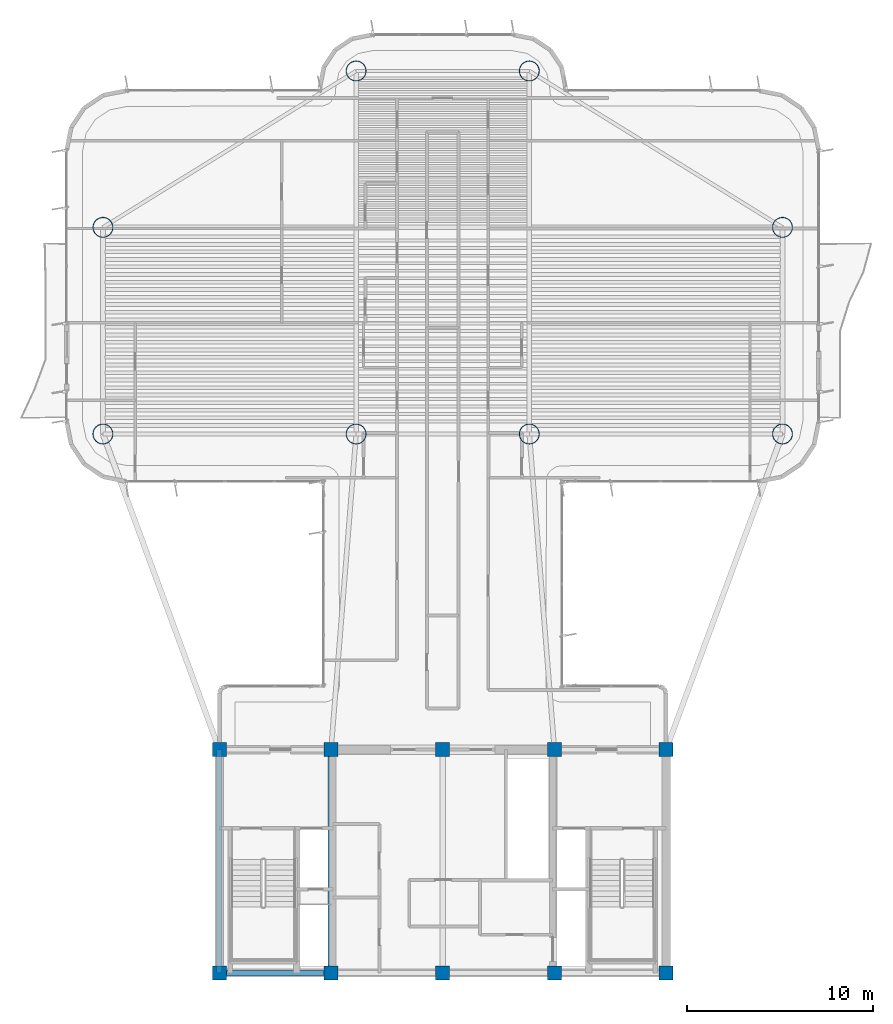
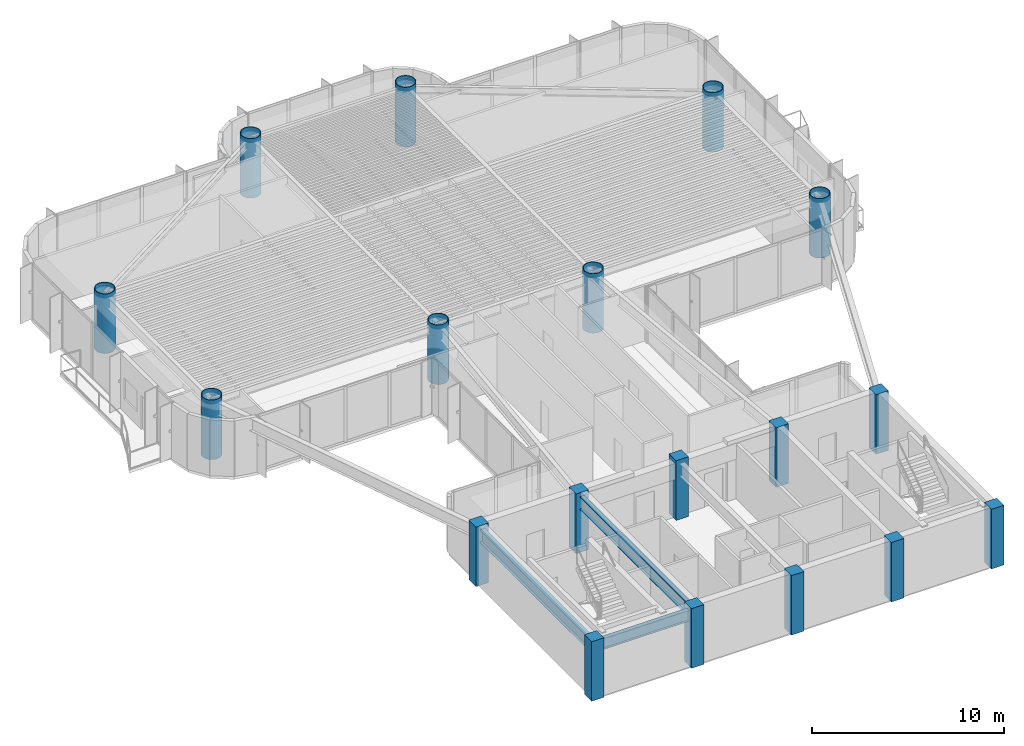
# One storey, part 1 of 14: 18 columns, 3 beams.
"""IFC4 building model written with IfcOpenShell, lengths in metres."""

import ifcopenshell
import ifcopenshell.guid

model = None  # the IFC model being written
_history = None  # IfcOwnerHistory: only IFC2X3 demands one
_inside = {}  # id of a spatial element -> (the spatial element, [elements in it])
_under = {}  # id of a project, library or spatial element -> (it, [spatial elements below it])
_declared = {}  # id of a project -> (the project, [libraries it declares])
_typed = {}  # id of a type object -> (the type object, [elements of that type])
_made_of = {}  # id of a material, layer set ... -> (it, [elements and type objects made of it])


def new_model(schema):
    """Start an empty IFC model of exactly this schema.

    Asked for "IFC4X3", IfcOpenShell would pick the latest addendum, in which some entities
    have other attributes; the version numbers below select the first issue.
    IFC2X3 requires an IfcOwnerHistory on every rooted entity: one is made here for all.
    """
    global model, _history
    if schema == "IFC4X3":
        model = ifcopenshell.file(schema_version=(4, 3, 0, 0))
    else:
        model = ifcopenshell.file(schema=schema)
    _inside.clear()
    _under.clear()
    _declared.clear()
    _typed.clear()
    _made_of.clear()
    _history = None
    if model.schema == "IFC2X3":
        org = make("IfcOrganization", Name="unknown")
        user = make(
            "IfcPersonAndOrganization",
            ThePerson=make("IfcPerson", FamilyName="unknown"),
            TheOrganization=org,
        )
        app = make(
            "IfcApplication",
            ApplicationDeveloper=org,
            Version="unknown",
            ApplicationFullName="unknown",
            ApplicationIdentifier="unknown",
        )
        _history = make(
            "IfcOwnerHistory",
            OwningUser=user,
            OwningApplication=app,
            ChangeAction="ADDED",
            CreationDate=0,
        )
    return model


def make(cls, **values):
    """One entity of the class cls with the attributes given. An attribute that is None is left unset."""
    return model.create_entity(
        cls, **{name: value for name, value in values.items() if value is not None}
    )


def rooted(cls, **values):
    """An entity with a GlobalId (a new one), such as an element, a storey or a relation."""
    return make(cls, GlobalId=ifcopenshell.guid.new(), OwnerHistory=_history, **values)


def si_unit(unit_type, name, prefix=None):
    """IfcSIUnit, for example si_unit("LENGTHUNIT", "METRE", prefix="MILLI")."""
    return make("IfcSIUnit", UnitType=unit_type, Prefix=prefix, Name=name)


def assignment(units):
    """IfcUnitAssignment: the units of a project."""
    return None if units is None else make("IfcUnitAssignment", Units=units)


def point(xyz):
    """IfcCartesianPoint."""
    return None if xyz is None else make("IfcCartesianPoint", Coordinates=xyz)


def direction(xyz):
    """IfcDirection."""
    return None if xyz is None else make("IfcDirection", DirectionRatios=xyz)


def frame(location, z_axis=None, x_axis=None):
    """IfcAxis2Placement3D, a coordinate frame: its origin and axes. An axis left out is left unset."""
    return make(
        "IfcAxis2Placement3D",
        Location=point(location),
        Axis=direction(z_axis),
        RefDirection=direction(x_axis),
    )


def frame_2d(location, x_axis=None):
    """IfcAxis2Placement2D, a coordinate frame in the plane: its origin and x axis."""
    return make(
        "IfcAxis2Placement2D", Location=point(location), RefDirection=direction(x_axis)
    )


def origin():
    """The frame at (0, 0, 0) with its axes left unset."""
    return frame((0.0, 0.0, 0.0))


def origin_2d():
    """The frame at (0, 0) in the plane with its x axis left unset."""
    return frame_2d((0.0, 0.0))


def place(relative_to, where):
    """IfcLocalPlacement: puts the frame where relative to a parent placement (None: the world)."""
    return make(
        "IfcLocalPlacement", PlacementRelTo=relative_to, RelativePlacement=where
    )


def context(
    kind, dimensions, precision=None, world=None, true_north=None, identifier=None
):
    """IfcGeometricRepresentationContext, for example the 3D "Model" context."""
    return make(
        "IfcGeometricRepresentationContext",
        ContextIdentifier=identifier,
        ContextType=kind,
        CoordinateSpaceDimension=dimensions,
        Precision=precision,
        WorldCoordinateSystem=world,
        TrueNorth=true_north,
    )


def subcontext(parent, identifier, kind, view, scale=None):
    """IfcGeometricRepresentationSubContext, for example "Body" below "Model"."""
    return make(
        "IfcGeometricRepresentationSubContext",
        ContextIdentifier=identifier,
        ContextType=kind,
        ParentContext=parent,
        TargetScale=scale,
        TargetView=view,
    )


def project(units=None, contexts=None):
    """IfcProject with its units and contexts."""
    return rooted(
        "IfcProject",
        Name="project",
        RepresentationContexts=contexts,
        UnitsInContext=assignment(units),
    )


def spatial(cls, under=None, at=None, **own):
    """A site, building, storey or space (cls), placed at a placement, below another one or the project."""
    s = rooted(cls, ObjectPlacement=at, **own)
    if under is not None:
        _under.setdefault(under.id(), (under, []))[1].append(s)
    return s


def profile(cls, at=None, kind="AREA", **sizes):
    """A parametric profile (cls). Its sizes go by their IFC names, for example OverallWidth=200.0."""
    return make(cls, ProfileType=kind, Position=at, **sizes)


def rectangle(**sizes):
    """IfcRectangleProfileDef."""
    return profile("IfcRectangleProfileDef", **sizes)


def hollow_circle(**sizes):
    """IfcCircleHollowProfileDef."""
    return profile("IfcCircleHollowProfileDef", **sizes)


def i_section(**sizes):
    """IfcIShapeProfileDef."""
    return profile("IfcIShapeProfileDef", **sizes)


def extrude(swept, where, along, depth):
    """IfcExtrudedAreaSolid: the profile swept, set in the frame where, extruded along a direction by depth."""
    return make(
        "IfcExtrudedAreaSolid",
        SweptArea=swept,
        Position=where,
        ExtrudedDirection=direction(along),
        Depth=depth,
    )


def shape(context_of_items, identifier, shape_type, items):
    """IfcShapeRepresentation: the items that make up one representation, for example the "Body"."""
    return make(
        "IfcShapeRepresentation",
        ContextOfItems=context_of_items,
        RepresentationIdentifier=identifier,
        RepresentationType=shape_type,
        Items=items,
    )


def source(mapping_origin, context_of_items, identifier, shape_type, items):
    """IfcRepresentationMap: a shape defined once, which mapped items show again and again."""
    return make(
        "IfcRepresentationMap",
        MappingOrigin=mapping_origin,
        MappedRepresentation=shape(context_of_items, identifier, shape_type, items),
    )


def transform(
    local_origin,
    x_axis=None,
    y_axis=None,
    z_axis=None,
    scale=None,
    scale2=None,
    scale3=None,
    uniform=True,
):
    """IfcCartesianTransformationOperator3D, or its non-uniform kind. x_axis, y_axis, z_axis: its Axis1, 2, 3."""
    if uniform:
        return make(
            "IfcCartesianTransformationOperator3D",
            Axis1=direction(x_axis),
            Axis2=direction(y_axis),
            LocalOrigin=point(local_origin),
            Scale=scale,
            Axis3=direction(z_axis),
        )
    return make(
        "IfcCartesianTransformationOperator3DnonUniform",
        Axis1=direction(x_axis),
        Axis2=direction(y_axis),
        LocalOrigin=point(local_origin),
        Scale=scale,
        Axis3=direction(z_axis),
        Scale2=scale2,
        Scale3=scale3,
    )


def mapped(mapping_source, mapping_target):
    """IfcMappedItem: shows the shape of a source again, moved by a transform."""
    return make(
        "IfcMappedItem", MappingSource=mapping_source, MappingTarget=mapping_target
    )


def material(Name=None, Category=None):
    """IfcMaterial."""
    return make("IfcMaterial", Name=Name, Category=Category)


def material_profile(
    of_material, cross_section, Name=None, Category=None, Priority=None
):
    """IfcMaterialProfile: a cross section and its material."""
    return make(
        "IfcMaterialProfile",
        Name=Name,
        Material=of_material,
        Profile=cross_section,
        Priority=Priority,
        Category=Category,
    )


def profile_set(profiles, Name=None, composite=None):
    """IfcMaterialProfileSet."""
    return make(
        "IfcMaterialProfileSet",
        Name=Name,
        MaterialProfiles=profiles,
        CompositeProfile=composite,
    )


def made_of(thing, what):
    """Note that an element or type object is made of a material, layer set ...; save() writes the relation."""
    if what is not None:
        _made_of.setdefault(what.id(), (what, []))[1].append(thing)
    return thing


def type_object(cls, material=None, **own):
    """A type object (cls), such as IfcWallType, which elements share."""
    return made_of(rooted(cls, **own), material)


def element(
    cls,
    number,
    at=None,
    inside=None,
    cuts=None,
    type_object=None,
    material=None,
    context=None,
    identifier="Body",
    shape_type=None,
    held_by="IfcProductDefinitionShape",
    body=None,
    shapes=None,
    **own,
):
    """One element of the class cls, such as IfcWall. Its Tag is "e" and its number.

    at: its placement. inside: the storey or other place that contains it. cuts: it is an
    opening in that element (IfcRelVoidsElement). A single representation is given by context,
    identifier, shape_type and body (its items); several are given by shapes. held_by: the class
    of the entity that holds the representations. save() writes the other relations.
    """
    e = rooted(cls, Tag="e%d" % number, ObjectPlacement=at, **own)
    if body is not None:
        shapes = [shape(context, identifier, shape_type, body)]
    if shapes is not None:
        e.Representation = make(held_by, Representations=shapes)
    if inside is not None:
        _inside.setdefault(inside.id(), (inside, []))[1].append(e)
    if cuts is not None:
        rooted(
            "IfcRelVoidsElement", RelatingBuildingElement=cuts, RelatedOpeningElement=e
        )
    if type_object is not None:
        _typed.setdefault(type_object.id(), (type_object, []))[1].append(e)
    return made_of(e, material)


def aggregate(whole, parts):
    """IfcRelAggregates: a whole, such as a stair, and the parts it consists of."""
    return rooted("IfcRelAggregates", RelatingObject=whole, RelatedObjects=parts)


def save(model, path):
    """Write the relations noted so far, then the file.

    IfcRelAggregates (storeys below a building ...), IfcRelContainedInSpatialStructure (elements
    in a storey), IfcRelDefinesByType, IfcRelAssociatesMaterial and IfcRelDeclares: one each for
    every whole, place, type object, material and project.
    """
    for whole, parts in _under.values():
        aggregate(whole, parts)
    for where, things in _inside.values():
        rooted(
            "IfcRelContainedInSpatialStructure",
            RelatedElements=things,
            RelatingStructure=where,
        )
    for kind, things in _typed.values():
        rooted("IfcRelDefinesByType", RelatedObjects=things, RelatingType=kind)
    for what, things in _made_of.values():
        rooted("IfcRelAssociatesMaterial", RelatedObjects=things, RelatingMaterial=what)
    for by, libraries in _declared.values():
        rooted("IfcRelDeclares", RelatingContext=by, RelatedDefinitions=libraries)
    model.write(path)


model = new_model("IFC4")

# Units and contexts
model_context = context("Model", 3, precision=1e-05, world=origin(), true_north=direction((0.0, 1.0)))
body_context = subcontext(model_context, "Body", "Model", "MODEL_VIEW")
ifc_project = project(units=[si_unit("LENGTHUNIT", "METRE"), si_unit("AREAUNIT", "SQUARE_METRE"), si_unit("VOLUMEUNIT", "CUBIC_METRE"), si_unit("PLANEANGLEUNIT", "RADIAN"), si_unit("MASSUNIT", "GRAM", prefix="KILO")], contexts=[model_context])

# Site, building, storey
site_placement = place(None, origin())
site = spatial("IfcSite", under=ifc_project, at=site_placement, CompositionType="ELEMENT")
building_placement = place(site_placement, origin())
building = spatial("IfcBuilding", under=site, at=building_placement, Name="Brelvock Crest Care Tower", CompositionType="ELEMENT")
storey_placement = place(building_placement, frame((0.0, 0.0, 205.56005859375)))
storey = spatial("IfcBuildingStorey", under=building, at=storey_placement, Name="L52", CompositionType="ELEMENT", Elevation=205.56005859375)

# Columns
ifc_material_1 = material(Name="Concrete S65 (65 MPa)", Category="concrete")
ifc_material_profile_1 = material_profile(ifc_material_1, rectangle(XDim=0.75, YDim=0.75, at=origin_2d()), Name="RC750x750")
ifc_profile_set_1 = profile_set([ifc_material_profile_1], Name="Concrete S65 (65 MPa)")
column_type_1 = type_object("IfcColumnType", Name="COL-RC3", PredefinedType="COLUMN", material=ifc_profile_set_1)
shared_shape_1 = source(origin(), body_context, "Body", "SweptSolid", [
    extrude(rectangle(XDim=0.75, YDim=0.75, at=origin_2d()), origin(), (0.0, 0.0, 1.0), 3.780029296875),
])
for number, where, z_axis, x_axis, name in (
    (1, (24.0, 6.0, 0.0), (0.0, 0.0, 1.0), (1.0, 0.0, 0.0), "L52 Core Column CC-01"),
    (2, (30.0, 6.0, 0.0), (0.0, 0.0, 1.0), (1.0, 0.0, 0.0), "L52 Core Column CC-02"),
    (3, (36.0, 6.0, 0.0), (0.0, 0.0, 1.0), (1.0, 0.0, 0.0), "L52 Core Column CC-03"),
    (4, (42.0, 6.0, 0.0), (0.0, 0.0, 1.0), (1.0, 0.0, 0.0), "L52 Core Column CC-04"),
    (5, (48.0, 6.0, 0.0), (0.0, 0.0, 1.0), (1.0, 0.0, 0.0), "L52 Core Column CC-05"),
    (6, (24.0, 18.0, 0.0), (0.0, 0.0, 1.0), (1.0, 0.0, 0.0), "L52 Core Column CC-06"),
    (7, (30.0, 18.0, 0.0), (0.0, 0.0, 1.0), (1.0, 0.0, 0.0), "L52 Core Column CC-07"),
    (8, (36.0, 18.0, 0.0), (0.0, 0.0, 1.0), (1.0, 0.0, 0.0), "L52 Core Column CC-08"),
    (9, (42.0, 18.0, 0.0), (0.0, 0.0, 1.0), (1.0, 0.0, 0.0), "L52 Core Column CC-09"),
    (10, (48.0, 18.0, 0.0), (0.0, 0.0, 1.0), (1.0, 0.0, 0.0), "L52 Core Column CC-10"),
):
    element("IfcColumn", number, at=place(storey_placement, frame(where, z_axis=z_axis, x_axis=x_axis)), inside=storey, type_object=column_type_1, Name=name, PredefinedType="COLUMN", context=body_context, shape_type="MappedRepresentation", body=[
        mapped(shared_shape_1, transform((0.0, 0.0, 0.0), x_axis=(1.0, 0.0, 0.0), y_axis=(0.0, 1.0, 0.0), z_axis=(0.0, 0.0, 1.0), scale=1.0)),
    ])
ifc_material_2 = material(Name="Steel Grade 350", Category="steel")
ifc_material_profile_2 = material_profile(ifc_material_2, hollow_circle(Radius=0.550048828125, WallThickness=0.0400390625, at=origin_2d()), Name="CFT1100x40")
ifc_profile_set_2 = profile_set([ifc_material_profile_2], Name="Steel Grade 350")
column_type_2 = type_object("IfcColumnType", Name="COL-MC3", PredefinedType="COLUMN", material=ifc_profile_set_2)
shared_shape_2 = source(origin(), body_context, "Body", "SweptSolid", [
    extrude(hollow_circle(Radius=0.550048828125, WallThickness=0.0400390625, at=origin_2d()), origin(), (0.0, 0.0, 1.0), 3.780029296875),
])
for number, where, z_axis, x_axis, name in (
    (11, (17.75, 34.949951171875, 0.0), (0.0, 0.0, 1.0), (1.0, 0.0, 0.0), "L52 Tower Column M1"),
    (12, (17.75, 46.050048828125, 0.0), (0.0, 0.0, 1.0), (1.0, 0.0, 0.0), "L52 Tower Column M2"),
    (13, (54.25, 34.949951171875, 0.0), (0.0, 0.0, 1.0), (1.0, 0.0, 0.0), "L52 Tower Column M3"),
    (14, (54.25, 46.050048828125, 0.0), (0.0, 0.0, 1.0), (1.0, 0.0, 0.0), "L52 Tower Column M4"),
    (15, (31.35009765625, 34.949951171875, 0.0), (0.0, 0.0, 1.0), (1.0, 0.0, 0.0), "L52 Tower Column M5"),
    (16, (40.64990234375, 34.949951171875, 0.0), (0.0, 0.0, 1.0), (1.0, 0.0, 0.0), "L52 Tower Column M6"),
    (17, (31.35009765625, 54.449951171875, 0.0), (0.0, 0.0, 1.0), (1.0, 0.0, 0.0), "L52 Tower Column M7"),
    (18, (40.64990234375, 54.449951171875, 0.0), (0.0, 0.0, 1.0), (1.0, 0.0, 0.0), "L52 Tower Column M8"),
):
    element("IfcColumn", number, at=place(storey_placement, frame(where, z_axis=z_axis, x_axis=x_axis)), inside=storey, type_object=column_type_2, Name=name, PredefinedType="COLUMN", context=body_context, shape_type="MappedRepresentation", body=[
        mapped(shared_shape_2, transform((0.0, 0.0, 0.0), x_axis=(1.0, 0.0, 0.0), y_axis=(0.0, 1.0, 0.0), z_axis=(0.0, 0.0, 1.0), scale=1.0)),
    ])

# Beams
ifc_material_profile_3 = material_profile(ifc_material_2, i_section(OverallWidth=0.25, OverallDepth=0.699951171875, WebThickness=0.011962890625, FlangeThickness=0.02001953125, at=origin_2d()), Name="700WB150")
ifc_profile_set_3 = profile_set([ifc_material_profile_3], Name="Steel Grade 350")
beam_type_1 = type_object("IfcBeamType", Name="BM-G4", PredefinedType="BEAM", material=ifc_profile_set_3)
shared_shape_3 = source(origin(), body_context, "Body", "SweptSolid", [
    extrude(i_section(OverallWidth=0.25, OverallDepth=0.699951171875, WebThickness=0.011962890625, FlangeThickness=0.02001953125, at=origin_2d()), origin(), (0.0, 0.0, 1.0), 6.0),
])
beam_placement = place(storey_placement, frame((24.0, 6.0, 3.179931640625), z_axis=(1.0, 0.0, 0.0), x_axis=(0.0, 1.0, 0.0)))
element("IfcBeam", 19, at=beam_placement, inside=storey, type_object=beam_type_1, Name="BM-CORES-L52-1", PredefinedType="BEAM", context=body_context, shape_type="MappedRepresentation", body=[
    mapped(shared_shape_3, transform((0.0, 0.0, 0.0), x_axis=(1.0, 0.0, 0.0), y_axis=(0.0, 1.0, 0.0), z_axis=(0.0, 0.0, 1.0), scale=1.0)),
])
ifc_material_profile_4 = material_profile(ifc_material_2, i_section(OverallWidth=0.300048828125, OverallDepth=0.800048828125, WebThickness=0.013916015625, FlangeThickness=0.02197265625, at=origin_2d()), Name="800WB192")
ifc_profile_set_4 = profile_set([ifc_material_profile_4], Name="Steel Grade 350")
beam_type_2 = type_object("IfcBeamType", Name="BM-G5", PredefinedType="BEAM", material=ifc_profile_set_4)
shared_shape_4 = source(origin(), body_context, "Body", "SweptSolid", [
    extrude(i_section(OverallWidth=0.300048828125, OverallDepth=0.800048828125, WebThickness=0.013916015625, FlangeThickness=0.02197265625, at=origin_2d()), origin(), (0.0, 0.0, 1.0), 12.0),
])
for number, where, z_axis, x_axis, name in (
    (20, (24.0, 6.0, 3.1298828125), (0.0, 1.0, 0.0), (-1.0, 0.0, 0.0), "BM-COREX-L52-1"),
    (21, (30.0, 6.0, 3.1298828125), (0.0, 1.0, 0.0), (-1.0, 0.0, 0.0), "BM-COREX-L52-2"),
):
    element("IfcBeam", number, at=place(storey_placement, frame(where, z_axis=z_axis, x_axis=x_axis)), inside=storey, type_object=beam_type_2, Name=name, PredefinedType="BEAM", context=body_context, shape_type="MappedRepresentation", body=[
        mapped(shared_shape_4, transform((0.0, 0.0, 0.0), x_axis=(1.0, 0.0, 0.0), y_axis=(0.0, 1.0, 0.0), z_axis=(0.0, 0.0, 1.0), scale=1.0)),
    ])

save(model, "model.ifc")
